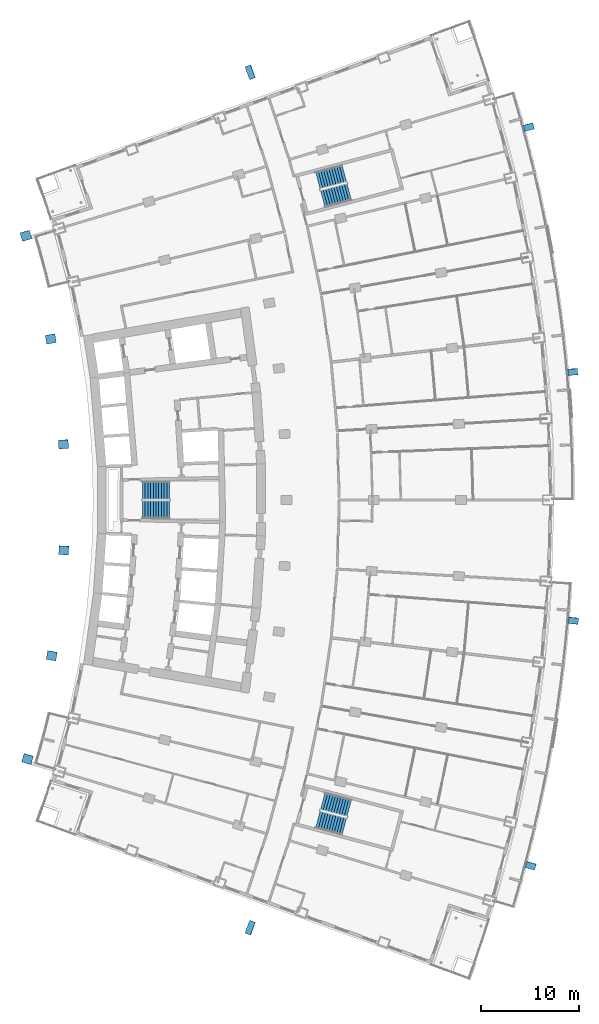
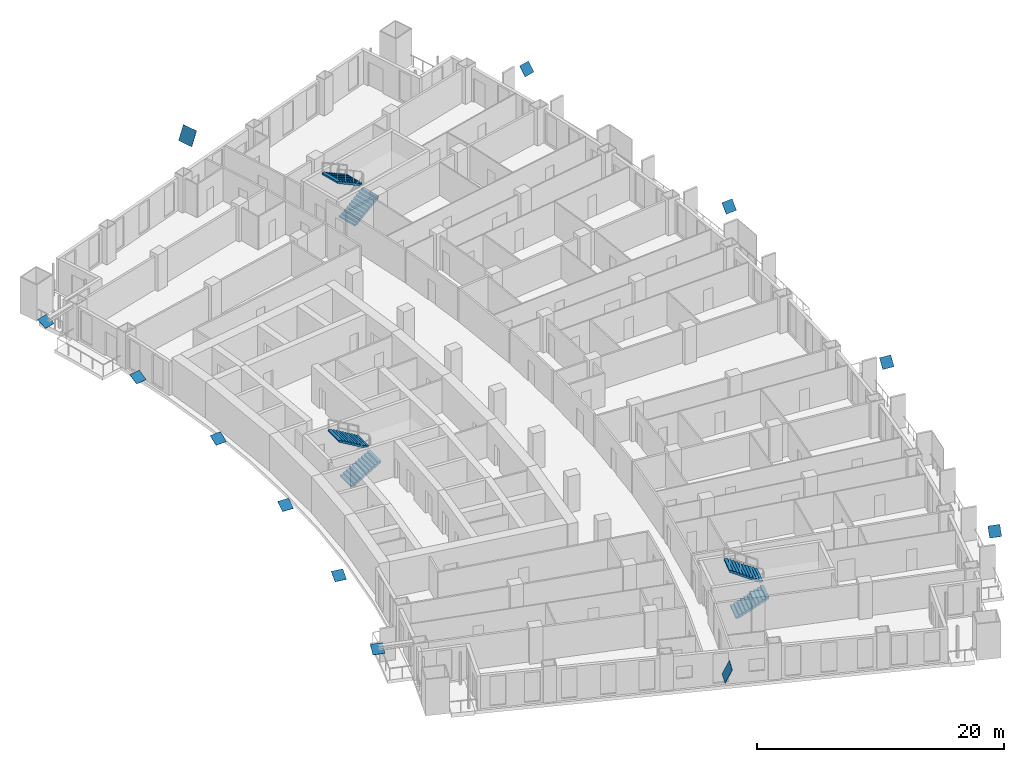
# One storey, part 22 of 25: 12 discrete accessories, 6 stair flights, 3 elements without a shape of their own.
"""IFC4 building model written with IfcOpenShell, lengths in metres."""

from ifc_helpers import new_model, si_unit, direction, frame, origin, origin_2d, place, context, subcontext, project, spatial, polyline, rectangle, outline, extrude, material, layer, layer_set, material_profile, profile_set, type_object, element, aggregate, save


model = new_model("IFC4")

# Units and contexts
model_context = context("Model", 3, precision=1e-05, world=origin(), true_north=direction((0.0, 1.0)))
body_context = subcontext(model_context, "Body", "Model", "MODEL_VIEW")
ifc_project = project(units=[si_unit("LENGTHUNIT", "METRE"), si_unit("AREAUNIT", "SQUARE_METRE"), si_unit("VOLUMEUNIT", "CUBIC_METRE"), si_unit("PLANEANGLEUNIT", "RADIAN"), si_unit("MASSUNIT", "GRAM", prefix="KILO")], contexts=[model_context])

# Site, building, storey
site_placement = place(None, origin())
site = spatial("IfcSite", under=ifc_project, at=site_placement, CompositionType="ELEMENT")
building_placement = place(site_placement, origin())
building = spatial("IfcBuilding", under=site, at=building_placement, Name="Alderwake Tower", CompositionType="ELEMENT")
storey_placement = place(building_placement, frame((0.0, 0.0, 60.800048828125)))
storey = spatial("IfcBuildingStorey", under=building, at=storey_placement, Name="L14", CompositionType="ELEMENT", Elevation=60.800048828125)

# Stair, stair flights
ifc_material_1 = material(Name="Concrete C40/50", Category="concrete")
stair_type = type_object("IfcStairType", Name="Core exit stair", PredefinedType="HALF_TURN_STAIR", material=ifc_material_1)
stair_1_placement = place(storey_placement, origin())
stair_1 = element("IfcStair", 1, at=stair_1_placement, inside=storey, type_object=stair_type, Name="L14 Exit Stair B", PredefinedType="HALF_TURN_STAIR")
ifc_material_2 = material(Name="Concrete C40/50", Category="concrete")
ifc_layer = layer(ifc_material_2, 0.14990234375)
ifc_layer_set = layer_set([ifc_layer], Name="Core stair flight")
stair_flight_type = type_object("IfcStairFlightType", Name="Core stair flight", PredefinedType="STRAIGHT", material=ifc_layer_set)
stair_flight_1_placement = place(storey_placement, frame((21.0400390625, 60.02490234375, 0.0), z_axis=(0.0, 0.0, 1.0), x_axis=(1.0, 0.0, 0.0)))
stair_flight_1 = element("IfcStairFlight", 2, at=stair_flight_1_placement, type_object=stair_flight_type, Name="ST-B flight 1", NumberOfRisers=11, NumberOfTreads=10, PredefinedType="STRAIGHT", RiserHeight=0.163636364, TreadLength=0.28, context=body_context, shape_type="SweptSolid", body=[
    extrude(outline(polyline([(0.0, 0.0), (0.0, 0.16357421875), (0.280029296875, 0.16357421875), (0.280029296875, 0.327392578125), (0.56005859375, 0.327392578125), (0.56005859375, 0.490966796875), (0.840087890625, 0.490966796875), (0.840087890625, 0.654541015625), (1.1201171875, 0.654541015625), (1.1201171875, 0.818115234375), (1.39990234375, 0.818115234375), (1.39990234375, 0.98193359375), (1.679931640625, 0.98193359375), (1.679931640625, 1.1455078125), (1.9599609375, 1.1455078125), (1.9599609375, 1.30908203125), (2.239990234375, 1.30908203125), (2.239990234375, 1.47265625), (2.52001953125, 1.47265625), (2.52001953125, 1.636474609375), (2.800048828125, 1.636474609375), (2.800048828125, 1.800048828125), (2.800048828125, 1.462646484375), (0.297119140625, 0.0), (0.0, 0.0)])), frame((0.0, 0.89990234375, 0.0), z_axis=(0.0, -1.0, 0.0), x_axis=(1.0, 0.0, 0.0)), (0.0, 0.0, 1.0), 1.800048828125),
])
stair_flight_2_placement = place(storey_placement, frame((23.840087890625, 61.97509765625, 1.800048828125), z_axis=(0.0, 0.0, 1.0), x_axis=(-1.0, 0.0, 0.0)))
stair_flight_2 = element("IfcStairFlight", 3, at=stair_flight_2_placement, type_object=stair_flight_type, Name="ST-B flight 2", NumberOfRisers=11, NumberOfTreads=10, PredefinedType="STRAIGHT", RiserHeight=0.163636364, TreadLength=0.28, context=body_context, shape_type="SweptSolid", body=[
    extrude(outline(polyline([(0.0, 0.0), (0.0, 0.16357421875), (0.280029296875, 0.16357421875), (0.280029296875, 0.327392578125), (0.56005859375, 0.327392578125), (0.56005859375, 0.490966796875), (0.840087890625, 0.490966796875), (0.840087890625, 0.654541015625), (1.1201171875, 0.654541015625), (1.1201171875, 0.818115234375), (1.39990234375, 0.818115234375), (1.39990234375, 0.98193359375), (1.679931640625, 0.98193359375), (1.679931640625, 1.1455078125), (1.9599609375, 1.1455078125), (1.9599609375, 1.30908203125), (2.239990234375, 1.30908203125), (2.239990234375, 1.47265625), (2.52001953125, 1.47265625), (2.52001953125, 1.636474609375), (2.800048828125, 1.636474609375), (2.800048828125, 1.800048828125), (2.800048828125, 1.462646484375), (0.297119140625, 0.0), (0.0, 0.0)])), frame((0.0, 0.89990234375, 0.0), z_axis=(0.0, -1.0, 0.0), x_axis=(1.0, 0.0, 0.0)), (0.0, 0.0, 1.0), 1.800048828125),
])
aggregate(stair_1, [stair_flight_1, stair_flight_2])

stair_2_placement = place(storey_placement, origin())
stair_2 = element("IfcStair", 4, at=stair_2_placement, inside=storey, type_object=stair_type, Name="L14 Exit Stair A", PredefinedType="HALF_TURN_STAIR")
stair_flight_3_placement = place(storey_placement, frame((39.512939453125, 91.823974609375, 0.0), z_axis=(0.0, 0.0, 1.0), x_axis=(0.966309627437, 0.257382407951, 0.0)))
stair_flight_3 = element("IfcStairFlight", 5, at=stair_flight_3_placement, type_object=stair_flight_type, Name="ST-A flight 1", NumberOfRisers=11, NumberOfTreads=10, PredefinedType="STRAIGHT", RiserHeight=0.163636364, TreadLength=0.28, context=body_context, shape_type="SweptSolid", body=[
    extrude(outline(polyline([(0.0, 0.0), (0.0, 0.16357421875), (0.280029296875, 0.16357421875), (0.280029296875, 0.327392578125), (0.56005859375, 0.327392578125), (0.56005859375, 0.490966796875), (0.840087890625, 0.490966796875), (0.840087890625, 0.654541015625), (1.1201171875, 0.654541015625), (1.1201171875, 0.818115234375), (1.39990234375, 0.818115234375), (1.39990234375, 0.98193359375), (1.679931640625, 0.98193359375), (1.679931640625, 1.1455078125), (1.9599609375, 1.1455078125), (1.9599609375, 1.30908203125), (2.239990234375, 1.30908203125), (2.239990234375, 1.47265625), (2.52001953125, 1.47265625), (2.52001953125, 1.636474609375), (2.800048828125, 1.636474609375), (2.800048828125, 1.800048828125), (2.800048828125, 1.462646484375), (0.297119140625, 0.0), (0.0, 0.0)])), frame((0.0, 0.89990234375, 0.0), z_axis=(0.0, -1.0, 0.0), x_axis=(1.0, 0.0, 0.0)), (0.0, 0.0, 1.0), 1.800048828125),
])
stair_flight_4_placement = place(storey_placement, frame((41.716796875, 94.428955078125, 1.800048828125), z_axis=(0.0, 0.0, 1.0), x_axis=(-0.966309627437, -0.257382407951, 0.0)))
stair_flight_4 = element("IfcStairFlight", 6, at=stair_flight_4_placement, type_object=stair_flight_type, Name="ST-A flight 2", NumberOfRisers=11, NumberOfTreads=10, PredefinedType="STRAIGHT", RiserHeight=0.163636364, TreadLength=0.28, context=body_context, shape_type="SweptSolid", body=[
    extrude(outline(polyline([(0.0, 0.0), (0.0, 0.16357421875), (0.280029296875, 0.16357421875), (0.280029296875, 0.327392578125), (0.56005859375, 0.327392578125), (0.56005859375, 0.490966796875), (0.840087890625, 0.490966796875), (0.840087890625, 0.654541015625), (1.1201171875, 0.654541015625), (1.1201171875, 0.818115234375), (1.39990234375, 0.818115234375), (1.39990234375, 0.98193359375), (1.679931640625, 0.98193359375), (1.679931640625, 1.1455078125), (1.9599609375, 1.1455078125), (1.9599609375, 1.30908203125), (2.239990234375, 1.30908203125), (2.239990234375, 1.47265625), (2.52001953125, 1.47265625), (2.52001953125, 1.636474609375), (2.800048828125, 1.636474609375), (2.800048828125, 1.800048828125), (2.800048828125, 1.462646484375), (0.297119140625, 0.0), (0.0, 0.0)])), frame((0.0, 0.89990234375, 0.0), z_axis=(0.0, -1.0, 0.0), x_axis=(1.0, 0.0, 0.0)), (0.0, 0.0, 1.0), 1.800048828125),
])
aggregate(stair_2, [stair_flight_3, stair_flight_4])

stair_3_placement = place(storey_placement, origin())
stair_3 = element("IfcStair", 7, at=stair_3_placement, inside=storey, type_object=stair_type, Name="L14 Exit Stair C", PredefinedType="HALF_TURN_STAIR")
stair_flight_5_placement = place(storey_placement, frame((39.010986328125, 28.291748046875, 0.0), z_axis=(0.0, 0.0, 1.0), x_axis=(0.966309627437, -0.257382407951, 0.0)))
stair_flight_5 = element("IfcStairFlight", 8, at=stair_flight_5_placement, type_object=stair_flight_type, Name="ST-C flight 1", NumberOfRisers=11, NumberOfTreads=10, PredefinedType="STRAIGHT", RiserHeight=0.163636364, TreadLength=0.28, context=body_context, shape_type="SweptSolid", body=[
    extrude(outline(polyline([(0.0, 0.0), (0.0, 0.16357421875), (0.280029296875, 0.16357421875), (0.280029296875, 0.327392578125), (0.56005859375, 0.327392578125), (0.56005859375, 0.490966796875), (0.840087890625, 0.490966796875), (0.840087890625, 0.654541015625), (1.1201171875, 0.654541015625), (1.1201171875, 0.818115234375), (1.39990234375, 0.818115234375), (1.39990234375, 0.98193359375), (1.679931640625, 0.98193359375), (1.679931640625, 1.1455078125), (1.9599609375, 1.1455078125), (1.9599609375, 1.30908203125), (2.239990234375, 1.30908203125), (2.239990234375, 1.47265625), (2.52001953125, 1.47265625), (2.52001953125, 1.636474609375), (2.800048828125, 1.636474609375), (2.800048828125, 1.800048828125), (2.800048828125, 1.462646484375), (0.297119140625, 0.0), (0.0, 0.0)])), frame((0.0, 0.89990234375, 0.0), z_axis=(0.0, -1.0, 0.0), x_axis=(1.0, 0.0, 0.0)), (0.0, 0.0, 1.0), 1.800048828125),
])
stair_flight_6_placement = place(storey_placement, frame((42.218505859375, 29.455322265625, 1.800048828125), z_axis=(0.0, 0.0, 1.0), x_axis=(-0.966309627437, 0.257382407951, 0.0)))
stair_flight_6 = element("IfcStairFlight", 9, at=stair_flight_6_placement, type_object=stair_flight_type, Name="ST-C flight 2", NumberOfRisers=11, NumberOfTreads=10, PredefinedType="STRAIGHT", RiserHeight=0.163636364, TreadLength=0.28, context=body_context, shape_type="SweptSolid", body=[
    extrude(outline(polyline([(0.0, 0.0), (0.0, 0.16357421875), (0.280029296875, 0.16357421875), (0.280029296875, 0.327392578125), (0.56005859375, 0.327392578125), (0.56005859375, 0.490966796875), (0.840087890625, 0.490966796875), (0.840087890625, 0.654541015625), (1.1201171875, 0.654541015625), (1.1201171875, 0.818115234375), (1.39990234375, 0.818115234375), (1.39990234375, 0.98193359375), (1.679931640625, 0.98193359375), (1.679931640625, 1.1455078125), (1.9599609375, 1.1455078125), (1.9599609375, 1.30908203125), (2.239990234375, 1.30908203125), (2.239990234375, 1.47265625), (2.52001953125, 1.47265625), (2.52001953125, 1.636474609375), (2.800048828125, 1.636474609375), (2.800048828125, 1.800048828125), (2.800048828125, 1.462646484375), (0.297119140625, 0.0), (0.0, 0.0)])), frame((0.0, 0.89990234375, 0.0), z_axis=(0.0, -1.0, 0.0), x_axis=(1.0, 0.0, 0.0)), (0.0, 0.0, 1.0), 1.800048828125),
])
aggregate(stair_3, [stair_flight_5, stair_flight_6])

# Discrete accessories
ifc_material_3 = material(Name="Steel ASTM A572 Grade 50", Category="steel")
ifc_material_profile_1 = material_profile(ifc_material_3, rectangle(XDim=1.0, YDim=1.0, at=origin_2d()), Name="BOX 1000X1000X60 cap")
ifc_profile_set_1 = profile_set([ifc_material_profile_1], Name="Steel ASTM A572 Grade 50")
discrete_accessory_type_1 = type_object("IfcDiscreteAccessoryType", Name="End cap plate BOX 1000X1000X60", PredefinedType="USERDEFINED", material=ifc_profile_set_1)
discrete_accessory_placement = place(storey_placement, frame((60.803466796875, 23.56787109375, 3.286865234375), z_axis=(-0.21090172304, -0.738156030639, 0.640816773852), x_axis=(0.961523947641, -0.274721127897, 0.0)))
element("IfcDiscreteAccessory", 10, at=discrete_accessory_placement, inside=storey, type_object=discrete_accessory_type_1, Name="End cap BRF1.2.1B1 X", ObjectType="END CAP", PredefinedType="USERDEFINED", context=body_context, shape_type="SweptSolid", body=[
    extrude(rectangle(XDim=1.0, YDim=1.0, at=origin_2d()), origin(), (0.0, 0.0, 1.0), 0.030029296875),
])
for number, where, z_axis, x_axis, name in (
    (11, (65.170166015625, 48.654541015625, 3.286865234375), (-0.073555830653, -0.760076916751, 0.645656735735), (0.995350013555, -0.09632419486, 0.0), "End cap BRF1.2.4B1 X"),
    (12, (65.1025390625, 74.118408203125, 3.286865234375), (0.049111085309, -0.761221822294, 0.646629289905), (0.997925308968, 0.064382277998, 0.0), "End cap BRF1.2.7B1 X"),
):
    element("IfcDiscreteAccessory", number, at=place(storey_placement, frame(where, z_axis=z_axis, x_axis=x_axis)), inside=storey, type_object=discrete_accessory_type_1, Name=name, ObjectType="END CAP", PredefinedType="USERDEFINED", context=body_context, shape_type="SweptSolid", body=[
        extrude(rectangle(XDim=1.0, YDim=1.0, at=origin_2d()), origin(), (0.0, 0.0, 1.0), 0.02978515625),
    ])
for number, where, z_axis, x_axis, name in (
    (13, (60.602294921875, 99.181640625, 3.286865234375), (0.187475775238, -0.741751980291, 0.643938532341), (0.969512556416, 0.245041635138, 0.0), "End cap BRF1.2.10B1 X"),
    (14, (9.288330078125, 34.486572265625, 3.041748046875), (-0.121931072609, -0.430823123218, 0.894161199132), (0.962206045824, -0.272322465799, 0.0), "End cap BRR1.2.1B1 X"),
    (15, (11.767578125, 45.060302734375, 3.041748046875), (-0.072985235949, -0.446020886357, 0.892041772714), (0.986874582898, -0.161488568111, 0.0), "End cap BRR1.2.3B1 X"),
    (16, (12.999267578125, 55.8505859375, 3.041748046875), (-0.024297273391, -0.453549103308, 0.890900024354), (0.99856813227, -0.053494721372, 0.0), "End cap BRR1.2.5B1 X"),
    (17, (12.966552734375, 66.710693359375, 3.041748046875), (0.024386214522, -0.447080599566, 0.894161199132), (0.998515707931, 0.05446449316, 0.0), "End cap BRR1.2.7B1 X"),
    (18, (11.669921875, 77.493408203125, 3.041748046875), (0.073248237966, -0.439489427795, 0.895256241805), (0.986393923832, 0.164398987305, 0.0), "End cap BRR1.2.9B1 X"),
    (19, (9.126708984375, 88.052001953125, 3.041748046875), (0.129926809902, -0.430382557802, 0.893246818079), (0.957327710787, 0.289004591936, 0.0), "End cap BRR1.2.11B1 X"),
):
    element("IfcDiscreteAccessory", number, at=place(storey_placement, frame(where, z_axis=z_axis, x_axis=x_axis)), inside=storey, type_object=discrete_accessory_type_1, Name=name, ObjectType="END CAP", PredefinedType="USERDEFINED", context=body_context, shape_type="SweptSolid", body=[
        extrude(rectangle(XDim=1.0, YDim=1.0, at=origin_2d()), origin(), (0.0, 0.0, 1.0), 0.030029296875),
    ])
ifc_material_4 = material(Name="Steel ASTM A572 Grade 50", Category="steel")
ifc_material_profile_2 = material_profile(ifc_material_4, rectangle(XDim=1.39990234375, YDim=1.39990234375, at=origin_2d()), Name="BOX 1400X1400X80 cap")
ifc_profile_set_2 = profile_set([ifc_material_profile_2], Name="Steel ASTM A572 Grade 50")
discrete_accessory_type_2 = type_object("IfcDiscreteAccessoryType", Name="End cap plate BOX 1400X1400X80", PredefinedType="USERDEFINED", material=ifc_profile_set_2)
for number, where, z_axis, x_axis, name in (
    (20, (32.09326171875, 17.20849609375, 3.260498046875), (-0.847210096674, 0.309557535323, 0.431751299267), (-0.343192952924, -0.939264923791, 0.0), "End cap BRS1.2.0B1 X"),
    (21, (32.09326171875, 104.79150390625, 3.260498046875), (-0.847210096674, -0.309557535323, 0.431751299267), (0.343192952924, -0.939264923791, 0.0), "End cap BRN1.2.0B1 X"),
):
    element("IfcDiscreteAccessory", number, at=place(storey_placement, frame(where, z_axis=z_axis, x_axis=x_axis)), inside=storey, type_object=discrete_accessory_type_2, Name=name, ObjectType="END CAP", PredefinedType="USERDEFINED", context=body_context, shape_type="SweptSolid", body=[
        extrude(rectangle(XDim=1.39990234375, YDim=1.39990234375, at=origin_2d()), origin(), (0.0, 0.0, 1.0), 0.030029296875),
    ])

save(model, "model.ifc")
